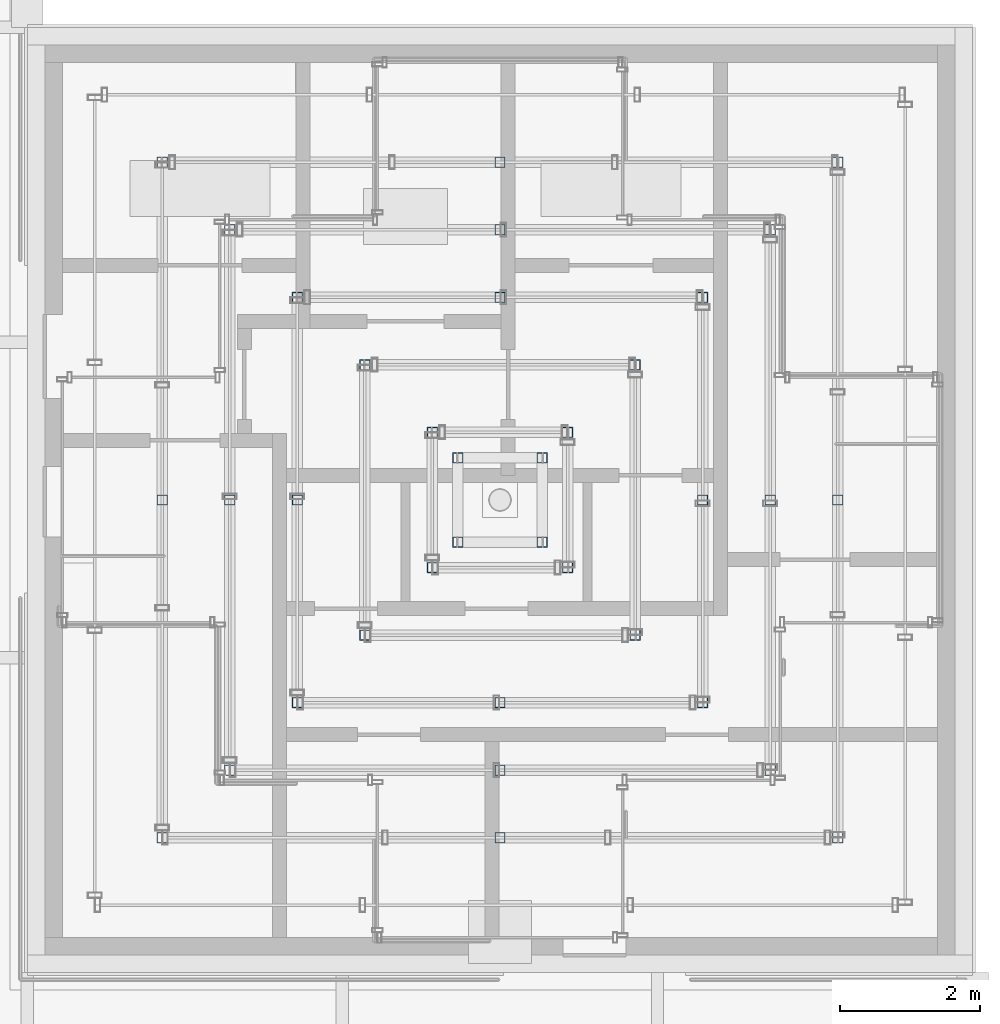
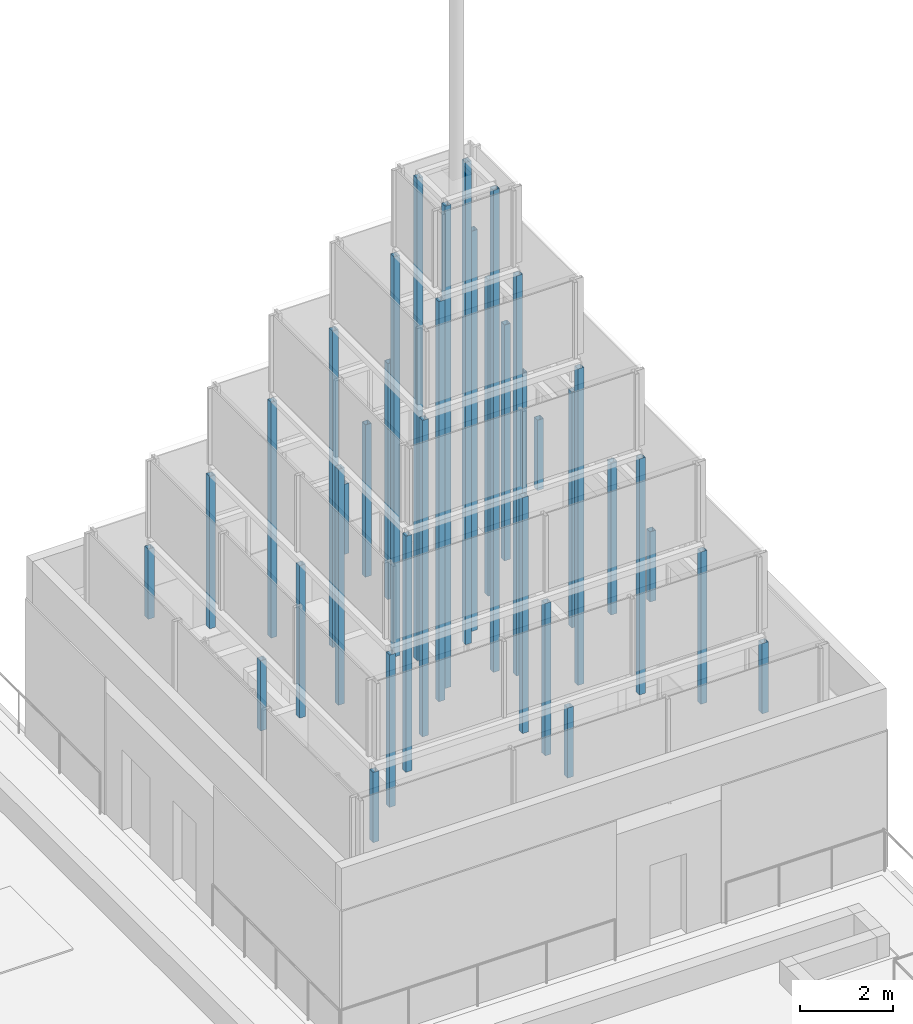
# One storey, part 2 of 62: 36 columns.
"""IFC4 building model written with IfcOpenShell, lengths in metres."""

from ifc_helpers import new_model, si_unit, direction, frame, origin, origin_2d, place, context, subcontext, project, spatial, hollow_rectangle, extrude, material, material_profile, profile_set, type_object, element, save


model = new_model("IFC4")

# Units and contexts
model_context = context("Model", 3, precision=1e-05, world=origin(), true_north=direction((0.0, 1.0)))
body_context = subcontext(model_context, "Body", "Model", "MODEL_VIEW")
ifc_project = project(units=[si_unit("LENGTHUNIT", "METRE"), si_unit("AREAUNIT", "SQUARE_METRE"), si_unit("VOLUMEUNIT", "CUBIC_METRE"), si_unit("PLANEANGLEUNIT", "RADIAN"), si_unit("MASSUNIT", "GRAM", prefix="KILO")], contexts=[model_context])

# Site, building, storey
site_placement = place(None, origin())
site = spatial("IfcSite", under=ifc_project, at=site_placement, CompositionType="ELEMENT")
building_placement = place(site_placement, origin())
building = spatial("IfcBuilding", under=site, at=building_placement, Name="Altepetl Exchange Towers", CompositionType="ELEMENT")
storey_placement = place(building_placement, frame((0.0, 0.0, 210.0)))
storey = spatial("IfcBuildingStorey", under=building, at=storey_placement, Name="L53", CompositionType="ELEMENT", Elevation=210.0)

# Columns
ifc_material = material(Name="Steel S355", Category="steel")
ifc_material_profile = material_profile(ifc_material, hollow_rectangle(XDim=0.14990234375, YDim=0.14990234375, WallThickness=0.008056640625, at=origin_2d()), Name="RHS 150x150x8")
ifc_profile_set = profile_set([ifc_material_profile], Name="Steel S355")
column_type = type_object("IfcColumnType", Name="Crown post hollow section 150x150x8", PredefinedType="COLUMN", material=ifc_profile_set)
for number, where, name in (
    (1, (105.428466796875, 37.928466796875, 3.60009765625), "Crown post"),
    (2, (110.25, 37.928466796875, 3.60009765625), "Crown post"),
    (3, (115.071533203125, 37.928466796875, 3.60009765625), "Crown post"),
    (4, (115.071533203125, 42.75, 3.60009765625), "Crown post"),
    (5, (115.071533203125, 47.571533203125, 3.60009765625), "Crown post"),
    (6, (110.25, 47.571533203125, 3.60009765625), "Crown post"),
    (7, (105.428466796875, 47.571533203125, 3.60009765625), "Crown post"),
    (8, (105.428466796875, 42.75, 3.60009765625), "Crown post"),
):
    element("IfcColumn", number, at=place(storey_placement, frame(where)), inside=storey, type_object=column_type, Name=name, PredefinedType="COLUMN", context=body_context, shape_type="SweptSolid", body=[
        extrude(hollow_rectangle(XDim=0.14990234375, YDim=0.14990234375, WallThickness=0.008056640625, at=origin_2d()), origin(), (0.0, 0.0, 1.0), 1.83984375),
    ])
for number, where, name in (
    (9, (106.392822265625, 38.892822265625, 3.60009765625), "Crown post"),
    (10, (110.25, 38.892822265625, 3.60009765625), "Crown post"),
    (11, (114.107177734375, 38.892822265625, 3.60009765625), "Crown post"),
    (12, (114.107177734375, 42.75, 3.60009765625), "Crown post"),
    (13, (114.107177734375, 46.607177734375, 3.60009765625), "Crown post"),
    (14, (110.25, 46.607177734375, 3.60009765625), "Crown post"),
    (15, (106.392822265625, 46.607177734375, 3.60009765625), "Crown post"),
    (16, (106.392822265625, 42.75, 3.60009765625), "Crown post"),
):
    element("IfcColumn", number, at=place(storey_placement, frame(where)), inside=storey, type_object=column_type, Name=name, PredefinedType="COLUMN", context=body_context, shape_type="SweptSolid", body=[
        extrude(hollow_rectangle(XDim=0.14990234375, YDim=0.14990234375, WallThickness=0.008056640625, at=origin_2d()), origin(), (0.0, 0.0, 1.0), 3.989990234375),
    ])
for number, where, name in (
    (17, (107.357177734375, 39.857177734375, 3.60009765625), "Crown post"),
    (18, (110.25, 39.857177734375, 3.60009765625), "Crown post"),
    (19, (113.142822265625, 39.857177734375, 3.60009765625), "Crown post"),
    (20, (113.142822265625, 42.75, 3.60009765625), "Crown post"),
    (21, (113.142822265625, 45.642822265625, 3.60009765625), "Crown post"),
    (22, (110.25, 45.642822265625, 3.60009765625), "Crown post"),
    (23, (107.357177734375, 45.642822265625, 3.60009765625), "Crown post"),
    (24, (107.357177734375, 42.75, 3.60009765625), "Crown post"),
):
    element("IfcColumn", number, at=place(storey_placement, frame(where)), inside=storey, type_object=column_type, Name=name, PredefinedType="COLUMN", context=body_context, shape_type="SweptSolid", body=[
        extrude(hollow_rectangle(XDim=0.14990234375, YDim=0.14990234375, WallThickness=0.008056640625, at=origin_2d()), origin(), (0.0, 0.0, 1.0), 6.179931640625),
    ])
for number, where, name in (
    (25, (108.321533203125, 40.821533203125, 3.60009765625), "Crown post"),
    (26, (112.178466796875, 40.821533203125, 3.60009765625), "Crown post"),
    (27, (112.178466796875, 44.678466796875, 3.60009765625), "Crown post"),
    (28, (108.321533203125, 44.678466796875, 3.60009765625), "Crown post"),
):
    element("IfcColumn", number, at=place(storey_placement, frame(where)), inside=storey, type_object=column_type, Name=name, PredefinedType="COLUMN", context=body_context, shape_type="SweptSolid", body=[
        extrude(hollow_rectangle(XDim=0.14990234375, YDim=0.14990234375, WallThickness=0.008056640625, at=origin_2d()), origin(), (0.0, 0.0, 1.0), 8.289794921875),
    ])
for number, where, name in (
    (29, (109.28564453125, 41.78564453125, 3.60009765625), "Crown post"),
    (30, (111.21435546875, 41.78564453125, 3.60009765625), "Crown post"),
    (31, (111.21435546875, 43.71435546875, 3.60009765625), "Crown post"),
    (32, (109.28564453125, 43.71435546875, 3.60009765625), "Crown post"),
):
    element("IfcColumn", number, at=place(storey_placement, frame(where)), inside=storey, type_object=column_type, Name=name, PredefinedType="COLUMN", context=body_context, shape_type="SweptSolid", body=[
        extrude(hollow_rectangle(XDim=0.14990234375, YDim=0.14990234375, WallThickness=0.008056640625, at=origin_2d()), origin(), (0.0, 0.0, 1.0), 10.47998046875),
    ])
for number, where, name in (
    (33, (109.64990234375, 42.14990234375, 3.60009765625), "Crown post"),
    (34, (110.85009765625, 42.14990234375, 3.60009765625), "Crown post"),
    (35, (110.85009765625, 43.35009765625, 3.60009765625), "Crown post"),
    (36, (109.64990234375, 43.35009765625, 3.60009765625), "Crown post"),
):
    element("IfcColumn", number, at=place(storey_placement, frame(where)), inside=storey, type_object=column_type, Name=name, PredefinedType="COLUMN", context=body_context, shape_type="SweptSolid", body=[
        extrude(hollow_rectangle(XDim=0.14990234375, YDim=0.14990234375, WallThickness=0.008056640625, at=origin_2d()), origin(), (0.0, 0.0, 1.0), 12.6298828125),
    ])

save(model, "model.ifc")
